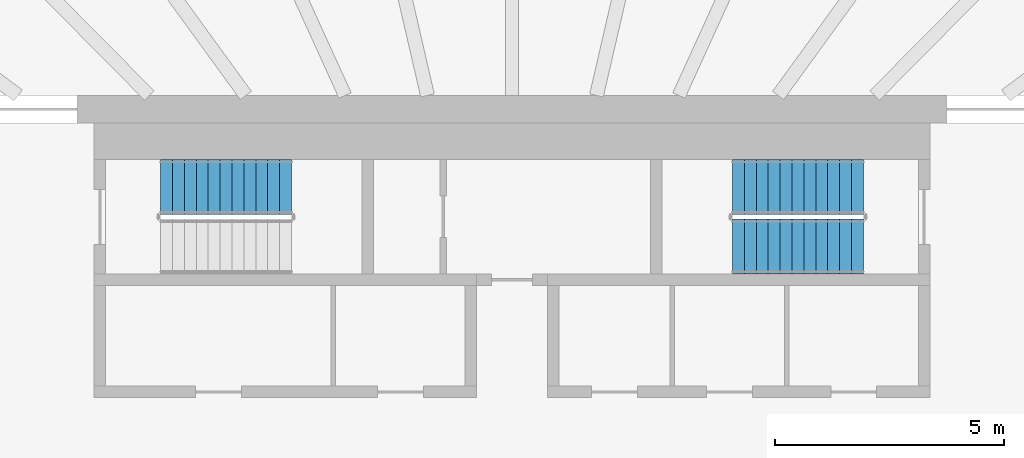
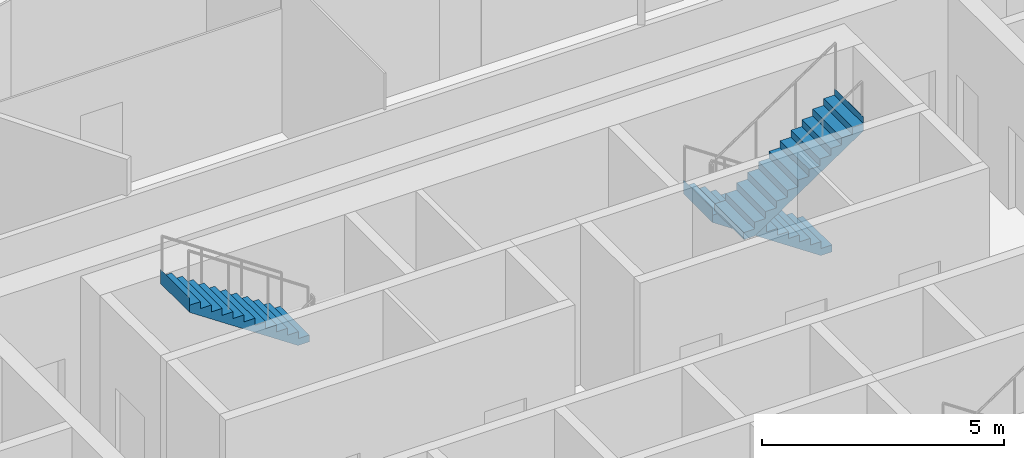
# One storey, part 18 of 24: 3 stair flights, 2 elements without a shape of their own.
"""IFC4 building model written with IfcOpenShell, lengths in metres."""

import ifcopenshell
import ifcopenshell.guid

model = None  # the IFC model being written
_history = None  # IfcOwnerHistory: only IFC2X3 demands one
_inside = {}  # id of a spatial element -> (the spatial element, [elements in it])
_under = {}  # id of a project, library or spatial element -> (it, [spatial elements below it])
_declared = {}  # id of a project -> (the project, [libraries it declares])
_typed = {}  # id of a type object -> (the type object, [elements of that type])
_made_of = {}  # id of a material, layer set ... -> (it, [elements and type objects made of it])


def new_model(schema):
    """Start an empty IFC model of exactly this schema.

    Asked for "IFC4X3", IfcOpenShell would pick the latest addendum, in which some entities
    have other attributes; the version numbers below select the first issue.
    IFC2X3 requires an IfcOwnerHistory on every rooted entity: one is made here for all.
    """
    global model, _history
    if schema == "IFC4X3":
        model = ifcopenshell.file(schema_version=(4, 3, 0, 0))
    else:
        model = ifcopenshell.file(schema=schema)
    _inside.clear()
    _under.clear()
    _declared.clear()
    _typed.clear()
    _made_of.clear()
    _history = None
    if model.schema == "IFC2X3":
        org = make("IfcOrganization", Name="unknown")
        user = make(
            "IfcPersonAndOrganization",
            ThePerson=make("IfcPerson", FamilyName="unknown"),
            TheOrganization=org,
        )
        app = make(
            "IfcApplication",
            ApplicationDeveloper=org,
            Version="unknown",
            ApplicationFullName="unknown",
            ApplicationIdentifier="unknown",
        )
        _history = make(
            "IfcOwnerHistory",
            OwningUser=user,
            OwningApplication=app,
            ChangeAction="ADDED",
            CreationDate=0,
        )
    return model


def make(cls, **values):
    """One entity of the class cls with the attributes given. An attribute that is None is left unset."""
    return model.create_entity(
        cls, **{name: value for name, value in values.items() if value is not None}
    )


def rooted(cls, **values):
    """An entity with a GlobalId (a new one), such as an element, a storey or a relation."""
    return make(cls, GlobalId=ifcopenshell.guid.new(), OwnerHistory=_history, **values)


def si_unit(unit_type, name, prefix=None):
    """IfcSIUnit, for example si_unit("LENGTHUNIT", "METRE", prefix="MILLI")."""
    return make("IfcSIUnit", UnitType=unit_type, Prefix=prefix, Name=name)


def assignment(units):
    """IfcUnitAssignment: the units of a project."""
    return None if units is None else make("IfcUnitAssignment", Units=units)


def point(xyz):
    """IfcCartesianPoint."""
    return None if xyz is None else make("IfcCartesianPoint", Coordinates=xyz)


def direction(xyz):
    """IfcDirection."""
    return None if xyz is None else make("IfcDirection", DirectionRatios=xyz)


def frame(location, z_axis=None, x_axis=None):
    """IfcAxis2Placement3D, a coordinate frame: its origin and axes. An axis left out is left unset."""
    return make(
        "IfcAxis2Placement3D",
        Location=point(location),
        Axis=direction(z_axis),
        RefDirection=direction(x_axis),
    )


def origin():
    """The frame at (0, 0, 0) with its axes left unset."""
    return frame((0.0, 0.0, 0.0))


def place(relative_to, where):
    """IfcLocalPlacement: puts the frame where relative to a parent placement (None: the world)."""
    return make(
        "IfcLocalPlacement", PlacementRelTo=relative_to, RelativePlacement=where
    )


def context(
    kind, dimensions, precision=None, world=None, true_north=None, identifier=None
):
    """IfcGeometricRepresentationContext, for example the 3D "Model" context."""
    return make(
        "IfcGeometricRepresentationContext",
        ContextIdentifier=identifier,
        ContextType=kind,
        CoordinateSpaceDimension=dimensions,
        Precision=precision,
        WorldCoordinateSystem=world,
        TrueNorth=true_north,
    )


def subcontext(parent, identifier, kind, view, scale=None):
    """IfcGeometricRepresentationSubContext, for example "Body" below "Model"."""
    return make(
        "IfcGeometricRepresentationSubContext",
        ContextIdentifier=identifier,
        ContextType=kind,
        ParentContext=parent,
        TargetScale=scale,
        TargetView=view,
    )


def project(units=None, contexts=None):
    """IfcProject with its units and contexts."""
    return rooted(
        "IfcProject",
        Name="project",
        RepresentationContexts=contexts,
        UnitsInContext=assignment(units),
    )


def spatial(cls, under=None, at=None, **own):
    """A site, building, storey or space (cls), placed at a placement, below another one or the project."""
    s = rooted(cls, ObjectPlacement=at, **own)
    if under is not None:
        _under.setdefault(under.id(), (under, []))[1].append(s)
    return s


def point_list(points):
    """IfcCartesianPointList2D or 3D."""
    cls = (
        "IfcCartesianPointList2D" if len(points[0]) == 2 else "IfcCartesianPointList3D"
    )
    return make(cls, CoordList=points)


def triangles(points, corners, closed=None, point_numbers=None):
    """IfcTriangulatedFaceSet: each triangle names its three corners, points numbered from 1."""
    return make(
        "IfcTriangulatedFaceSet",
        Coordinates=point_list(points),
        Closed=closed,
        CoordIndex=corners,
        PnIndex=point_numbers,
    )


def shape(context_of_items, identifier, shape_type, items):
    """IfcShapeRepresentation: the items that make up one representation, for example the "Body"."""
    return make(
        "IfcShapeRepresentation",
        ContextOfItems=context_of_items,
        RepresentationIdentifier=identifier,
        RepresentationType=shape_type,
        Items=items,
    )


def material(Name=None, Category=None):
    """IfcMaterial."""
    return make("IfcMaterial", Name=Name, Category=Category)


def made_of(thing, what):
    """Note that an element or type object is made of a material, layer set ...; save() writes the relation."""
    if what is not None:
        _made_of.setdefault(what.id(), (what, []))[1].append(thing)
    return thing


def type_object(cls, material=None, **own):
    """A type object (cls), such as IfcWallType, which elements share."""
    return made_of(rooted(cls, **own), material)


def element(
    cls,
    number,
    at=None,
    inside=None,
    cuts=None,
    type_object=None,
    material=None,
    context=None,
    identifier="Body",
    shape_type=None,
    held_by="IfcProductDefinitionShape",
    body=None,
    shapes=None,
    **own,
):
    """One element of the class cls, such as IfcWall. Its Tag is "e" and its number.

    at: its placement. inside: the storey or other place that contains it. cuts: it is an
    opening in that element (IfcRelVoidsElement). A single representation is given by context,
    identifier, shape_type and body (its items); several are given by shapes. held_by: the class
    of the entity that holds the representations. save() writes the other relations.
    """
    e = rooted(cls, Tag="e%d" % number, ObjectPlacement=at, **own)
    if body is not None:
        shapes = [shape(context, identifier, shape_type, body)]
    if shapes is not None:
        e.Representation = make(held_by, Representations=shapes)
    if inside is not None:
        _inside.setdefault(inside.id(), (inside, []))[1].append(e)
    if cuts is not None:
        rooted(
            "IfcRelVoidsElement", RelatingBuildingElement=cuts, RelatedOpeningElement=e
        )
    if type_object is not None:
        _typed.setdefault(type_object.id(), (type_object, []))[1].append(e)
    return made_of(e, material)


def aggregate(whole, parts):
    """IfcRelAggregates: a whole, such as a stair, and the parts it consists of."""
    return rooted("IfcRelAggregates", RelatingObject=whole, RelatedObjects=parts)


def save(model, path):
    """Write the relations noted so far, then the file.

    IfcRelAggregates (storeys below a building ...), IfcRelContainedInSpatialStructure (elements
    in a storey), IfcRelDefinesByType, IfcRelAssociatesMaterial and IfcRelDeclares: one each for
    every whole, place, type object, material and project.
    """
    for whole, parts in _under.values():
        aggregate(whole, parts)
    for where, things in _inside.values():
        rooted(
            "IfcRelContainedInSpatialStructure",
            RelatedElements=things,
            RelatingStructure=where,
        )
    for kind, things in _typed.values():
        rooted("IfcRelDefinesByType", RelatedObjects=things, RelatingType=kind)
    for what, things in _made_of.values():
        rooted("IfcRelAssociatesMaterial", RelatedObjects=things, RelatingMaterial=what)
    for by, libraries in _declared.values():
        rooted("IfcRelDeclares", RelatingContext=by, RelatedDefinitions=libraries)
    model.write(path)


model = new_model("IFC4")

# Units and contexts
model_context = context("Model", 3, precision=1e-05, world=origin(), true_north=direction((0.0, 1.0)))
body_context = subcontext(model_context, "Body", "Model", "MODEL_VIEW")
ifc_project = project(units=[si_unit("LENGTHUNIT", "METRE"), si_unit("AREAUNIT", "SQUARE_METRE"), si_unit("VOLUMEUNIT", "CUBIC_METRE"), si_unit("PLANEANGLEUNIT", "RADIAN"), si_unit("MASSUNIT", "GRAM", prefix="KILO")], contexts=[model_context])

# Site, building, storey
site_placement = place(None, origin())
site = spatial("IfcSite", under=ifc_project, at=site_placement, CompositionType="ELEMENT")
building_placement = place(site_placement, origin())
building = spatial("IfcBuilding", under=site, at=building_placement, Name="Sahrelin Media Tower", CompositionType="ELEMENT")
storey_placement = place(building_placement, frame((0.0, 0.0, 118.800048828125)))
storey = spatial("IfcBuildingStorey", under=building, at=storey_placement, Name="L23", CompositionType="ELEMENT", Elevation=118.800048828125)

# Stair, stair flight
ifc_material = material(Name="Concrete C40/50", Category="concrete")
stair_type = type_object("IfcStairType", Name="Exit stair 1200", PredefinedType="HALF_TURN_STAIR", material=ifc_material)
placement = place(storey_placement, origin())
stair_1 = element("IfcStair", 1, at=placement, inside=storey, type_object=stair_type, Name="L23 Exit stair ST1", PredefinedType="HALF_TURN_STAIR")
stair_flight_type = type_object("IfcStairFlightType", Name="Stair flight 1200", PredefinedType="STRAIGHT", material=ifc_material)
stair_flight_1_placement = place(storey_placement, frame((-4.81494140625, 6.0, 2.099853515625), z_axis=(0.0, 0.0, 1.0), x_axis=(-1.0, 0.0, 0.0)))
stair_flight_1 = element("IfcStairFlight", 2, at=stair_flight_1_placement, type_object=stair_flight_type, Name="ST1 flight 2", NumberOfRisers=12, NumberOfTreads=11, PredefinedType="STRAIGHT", RiserHeight=0.175, TreadLength=0.26, context=body_context, shape_type="Tessellation", body=[
    triangles([(0.2685546875, 0.60009765625, 0.0), (0.2685546875, 0.300048828125, 0.0), (0.2685546875, 0.0, 0.0), (0.2685546875, -0.300048828125, 0.0), (0.2685546875, -0.60009765625, 0.0), (2.860107421875, 0.60009765625, 1.744384765625), (2.860107421875, 0.300048828125, 1.744384765625), (2.860107421875, 0.0, 1.744384765625), (2.860107421875, -0.300048828125, 1.744384765625), (2.860107421875, -0.60009765625, 1.744384765625), (2.860107421875, 0.60009765625, 2.10009765625), (2.860107421875, 0.300048828125, 2.10009765625), (2.860107421875, 0.0, 2.10009765625), (2.860107421875, -0.300048828125, 2.10009765625), (2.860107421875, -0.60009765625, 2.10009765625), (2.85791015625, 0.60009765625, 2.10009765625), (2.85791015625, 0.300048828125, 2.10009765625), (2.85791015625, 0.0, 2.10009765625), (2.85791015625, -0.300048828125, 2.10009765625), (2.85791015625, -0.60009765625, 2.10009765625), (2.85791015625, 0.60009765625, 1.925048828125), (2.85791015625, 0.300048828125, 1.925048828125), (2.85791015625, 0.0, 1.925048828125), (2.85791015625, -0.300048828125, 1.925048828125), (2.85791015625, -0.60009765625, 1.925048828125), (2.60009765625, 0.60009765625, 1.925048828125), (2.60009765625, 0.300048828125, 1.925048828125), (2.60009765625, 0.0, 1.925048828125), (2.60009765625, -0.300048828125, 1.925048828125), (2.60009765625, -0.60009765625, 1.925048828125), (2.60009765625, 0.60009765625, 1.75), (2.60009765625, 0.300048828125, 1.75), (2.60009765625, 0.0, 1.75), (2.60009765625, -0.300048828125, 1.75), (2.60009765625, -0.60009765625, 1.75), (2.340087890625, 0.60009765625, 1.75), (2.340087890625, 0.300048828125, 1.75), (2.340087890625, 0.0, 1.75), (2.340087890625, -0.300048828125, 1.75), (2.340087890625, -0.60009765625, 1.75), (2.340087890625, 0.60009765625, 1.574951171875), (2.340087890625, 0.300048828125, 1.574951171875), (2.340087890625, 0.0, 1.574951171875), (2.340087890625, -0.300048828125, 1.574951171875), (2.340087890625, -0.60009765625, 1.574951171875), (2.080078125, 0.60009765625, 1.574951171875), (2.080078125, 0.300048828125, 1.574951171875), (2.080078125, 0.0, 1.574951171875), (2.080078125, -0.300048828125, 1.574951171875), (2.080078125, -0.60009765625, 1.574951171875), (2.080078125, 0.60009765625, 1.39990234375), (2.080078125, 0.300048828125, 1.39990234375), (2.080078125, 0.0, 1.39990234375), (2.080078125, -0.300048828125, 1.39990234375), (2.080078125, -0.60009765625, 1.39990234375), (1.820068359375, 0.60009765625, 1.39990234375), (1.820068359375, 0.300048828125, 1.39990234375), (1.820068359375, 0.0, 1.39990234375), (1.820068359375, -0.300048828125, 1.39990234375), (1.820068359375, -0.60009765625, 1.39990234375), (1.820068359375, 0.60009765625, 1.22509765625), (1.820068359375, 0.300048828125, 1.22509765625), (1.820068359375, 0.0, 1.22509765625), (1.820068359375, -0.300048828125, 1.22509765625), (1.820068359375, -0.60009765625, 1.22509765625), (1.56005859375, 0.60009765625, 1.22509765625), (1.56005859375, 0.300048828125, 1.22509765625), (1.56005859375, 0.0, 1.22509765625), (1.56005859375, -0.300048828125, 1.22509765625), (1.56005859375, -0.60009765625, 1.22509765625), (1.56005859375, 0.60009765625, 1.050048828125), (1.56005859375, 0.300048828125, 1.050048828125), (1.56005859375, 0.0, 1.050048828125), (1.56005859375, -0.300048828125, 1.050048828125), (1.56005859375, -0.60009765625, 1.050048828125), (1.300048828125, 0.60009765625, 1.050048828125), (1.300048828125, 0.300048828125, 1.050048828125), (1.300048828125, 0.0, 1.050048828125), (1.300048828125, -0.300048828125, 1.050048828125), (1.300048828125, -0.60009765625, 1.050048828125), (1.300048828125, 0.60009765625, 0.875), (1.300048828125, 0.300048828125, 0.875), (1.300048828125, 0.0, 0.875), (1.300048828125, -0.300048828125, 0.875), (1.300048828125, -0.60009765625, 0.875), (1.0400390625, 0.60009765625, 0.875), (1.0400390625, 0.300048828125, 0.875), (1.0400390625, 0.0, 0.875), (1.0400390625, -0.300048828125, 0.875), (1.0400390625, -0.60009765625, 0.875), (1.0400390625, 0.60009765625, 0.699951171875), (1.0400390625, 0.300048828125, 0.699951171875), (1.0400390625, 0.0, 0.699951171875), (1.0400390625, -0.300048828125, 0.699951171875), (1.0400390625, -0.60009765625, 0.699951171875), (0.780029296875, 0.60009765625, 0.699951171875), (0.780029296875, 0.300048828125, 0.699951171875), (0.780029296875, 0.0, 0.699951171875), (0.780029296875, -0.300048828125, 0.699951171875), (0.780029296875, -0.60009765625, 0.699951171875), (0.780029296875, 0.60009765625, 0.52490234375), (0.780029296875, 0.300048828125, 0.52490234375), (0.780029296875, 0.0, 0.52490234375), (0.780029296875, -0.300048828125, 0.52490234375), (0.780029296875, -0.60009765625, 0.52490234375), (0.52001953125, 0.60009765625, 0.52490234375), (0.52001953125, 0.300048828125, 0.52490234375), (0.52001953125, 0.0, 0.52490234375), (0.52001953125, -0.300048828125, 0.52490234375), (0.52001953125, -0.60009765625, 0.52490234375), (0.52001953125, 0.60009765625, 0.35009765625), (0.52001953125, 0.300048828125, 0.35009765625), (0.52001953125, 0.0, 0.35009765625), (0.52001953125, -0.300048828125, 0.35009765625), (0.52001953125, -0.60009765625, 0.35009765625), (0.260009765625, 0.60009765625, 0.35009765625), (0.260009765625, 0.300048828125, 0.35009765625), (0.260009765625, 0.0, 0.35009765625), (0.260009765625, -0.300048828125, 0.35009765625), (0.260009765625, -0.60009765625, 0.35009765625), (0.260009765625, 0.60009765625, 0.175048828125), (0.260009765625, 0.300048828125, 0.175048828125), (0.260009765625, 0.0, 0.175048828125), (0.260009765625, -0.300048828125, 0.175048828125), (0.260009765625, -0.60009765625, 0.175048828125), (0.0, 0.60009765625, 0.175048828125), (0.0, 0.300048828125, 0.175048828125), (0.0, 0.0, 0.175048828125), (0.0, -0.300048828125, 0.175048828125), (0.0, -0.60009765625, 0.175048828125), (0.0, 0.60009765625, 0.0), (0.0, 0.300048828125, 0.0), (0.0, 0.0, 0.0), (0.0, -0.300048828125, 0.0), (0.0, -0.60009765625, 0.0)], [[1, 6, 7], [1, 7, 2], [2, 7, 8], [2, 8, 3], [3, 8, 9], [3, 9, 4], [4, 9, 10], [4, 10, 5], [6, 11, 12], [6, 12, 7], [7, 12, 13], [7, 13, 8], [8, 13, 14], [8, 14, 9], [9, 14, 15], [9, 15, 10], [11, 16, 17], [11, 17, 12], [12, 17, 18], [12, 18, 13], [13, 18, 19], [13, 19, 14], [14, 19, 20], [14, 20, 15], [16, 21, 22], [16, 22, 17], [17, 22, 23], [17, 23, 18], [18, 23, 24], [18, 24, 19], [19, 24, 25], [19, 25, 20], [21, 26, 27], [21, 27, 22], [22, 27, 28], [22, 28, 23], [23, 28, 29], [23, 29, 24], [24, 29, 30], [24, 30, 25], [26, 31, 32], [26, 32, 27], [27, 32, 33], [27, 33, 28], [28, 33, 34], [28, 34, 29], [29, 34, 35], [29, 35, 30], [31, 36, 37], [31, 37, 32], [32, 37, 38], [32, 38, 33], [33, 38, 39], [33, 39, 34], [34, 39, 40], [34, 40, 35], [36, 41, 42], [36, 42, 37], [37, 42, 43], [37, 43, 38], [38, 43, 44], [38, 44, 39], [39, 44, 45], [39, 45, 40], [41, 46, 47], [41, 47, 42], [42, 47, 48], [42, 48, 43], [43, 48, 49], [43, 49, 44], [44, 49, 50], [44, 50, 45], [46, 51, 52], [46, 52, 47], [47, 52, 53], [47, 53, 48], [48, 53, 54], [48, 54, 49], [49, 54, 55], [49, 55, 50], [51, 56, 57], [51, 57, 52], [52, 57, 58], [52, 58, 53], [53, 58, 59], [53, 59, 54], [54, 59, 60], [54, 60, 55], [56, 61, 62], [56, 62, 57], [57, 62, 63], [57, 63, 58], [58, 63, 64], [58, 64, 59], [59, 64, 65], [59, 65, 60], [61, 66, 67], [61, 67, 62], [62, 67, 68], [62, 68, 63], [63, 68, 69], [63, 69, 64], [64, 69, 70], [64, 70, 65], [66, 71, 72], [66, 72, 67], [67, 72, 73], [67, 73, 68], [68, 73, 74], [68, 74, 69], [69, 74, 75], [69, 75, 70], [71, 76, 77], [71, 77, 72], [72, 77, 78], [72, 78, 73], [73, 78, 79], [73, 79, 74], [74, 79, 80], [74, 80, 75], [76, 81, 82], [76, 82, 77], [77, 82, 83], [77, 83, 78], [78, 83, 84], [78, 84, 79], [79, 84, 85], [79, 85, 80], [81, 86, 87], [81, 87, 82], [82, 87, 88], [82, 88, 83], [83, 88, 89], [83, 89, 84], [84, 89, 90], [84, 90, 85], [86, 91, 92], [86, 92, 87], [87, 92, 93], [87, 93, 88], [88, 93, 94], [88, 94, 89], [89, 94, 95], [89, 95, 90], [91, 96, 97], [91, 97, 92], [92, 97, 98], [92, 98, 93], [93, 98, 99], [93, 99, 94], [94, 99, 100], [94, 100, 95], [96, 101, 102], [96, 102, 97], [97, 102, 103], [97, 103, 98], [98, 103, 104], [98, 104, 99], [99, 104, 105], [99, 105, 100], [101, 106, 107], [101, 107, 102], [102, 107, 108], [102, 108, 103], [103, 108, 109], [103, 109, 104], [104, 109, 110], [104, 110, 105], [106, 111, 112], [106, 112, 107], [107, 112, 113], [107, 113, 108], [108, 113, 114], [108, 114, 109], [109, 114, 115], [109, 115, 110], [111, 116, 117], [111, 117, 112], [112, 117, 118], [112, 118, 113], [113, 118, 119], [113, 119, 114], [114, 119, 120], [114, 120, 115], [116, 121, 122], [116, 122, 117], [117, 122, 123], [117, 123, 118], [118, 123, 124], [118, 124, 119], [119, 124, 125], [119, 125, 120], [121, 126, 127], [121, 127, 122], [122, 127, 128], [122, 128, 123], [123, 128, 129], [123, 129, 124], [124, 129, 130], [124, 130, 125], [126, 131, 132], [126, 132, 127], [127, 132, 133], [127, 133, 128], [128, 133, 134], [128, 134, 129], [129, 134, 135], [129, 135, 130], [131, 1, 2], [131, 2, 132], [132, 2, 3], [132, 3, 133], [133, 3, 4], [133, 4, 134], [134, 4, 5], [134, 5, 135], [125, 130, 135], [121, 131, 126], [125, 115, 120], [121, 116, 111], [115, 105, 110], [111, 106, 101], [105, 95, 100], [101, 96, 91], [95, 85, 90], [91, 86, 81], [85, 75, 80], [81, 76, 71], [75, 65, 70], [71, 66, 61], [65, 55, 60], [61, 56, 51], [55, 45, 50], [51, 46, 41], [45, 35, 40], [41, 36, 31], [35, 25, 30], [31, 26, 21], [25, 15, 20], [21, 16, 11], [135, 5, 125], [131, 121, 1], [95, 105, 5], [91, 1, 101], [5, 10, 75], [1, 71, 6], [10, 35, 45], [6, 41, 31], [25, 10, 15], [21, 11, 6], [115, 125, 5], [111, 1, 121], [75, 85, 5], [71, 1, 81], [35, 10, 25], [31, 21, 6], [105, 115, 5], [101, 1, 111], [45, 55, 10], [41, 6, 51], [85, 95, 5], [81, 1, 91], [65, 10, 55], [61, 51, 6], [10, 65, 75], [6, 71, 61]], closed=True),
])
aggregate(stair_1, [stair_flight_1])

# Stair, stair flights
stair_2 = element("IfcStair", 3, at=placement, inside=storey, type_object=stair_type, Name="L23 Exit stair ST3", PredefinedType="HALF_TURN_STAIR")
stair_flight_2_placement = place(storey_placement, frame((7.675048828125, 6.0, 0.0), z_axis=(0.0, 0.0, 1.0), x_axis=(-1.0, 0.0, 0.0)))
stair_flight_2 = element("IfcStairFlight", 4, at=stair_flight_2_placement, type_object=stair_flight_type, Name="ST3 flight 1", NumberOfRisers=12, NumberOfTreads=11, PredefinedType="STRAIGHT", RiserHeight=0.175, TreadLength=0.26, context=body_context, shape_type="Tessellation", body=[
    triangles([(0.2685546875, 0.60009765625, 0.0), (0.2685546875, 0.300048828125, 0.0), (0.2685546875, 0.0, 0.0), (0.2685546875, -0.300048828125, 0.0), (0.2685546875, -0.60009765625, 0.0), (2.860107421875, 0.60009765625, 1.744384765625), (2.860107421875, 0.300048828125, 1.744384765625), (2.860107421875, 0.0, 1.744384765625), (2.860107421875, -0.300048828125, 1.744384765625), (2.860107421875, -0.60009765625, 1.744384765625), (2.860107421875, 0.60009765625, 2.10009765625), (2.860107421875, 0.300048828125, 2.10009765625), (2.860107421875, 0.0, 2.10009765625), (2.860107421875, -0.300048828125, 2.10009765625), (2.860107421875, -0.60009765625, 2.10009765625), (2.85791015625, 0.60009765625, 2.10009765625), (2.85791015625, 0.300048828125, 2.10009765625), (2.85791015625, 0.0, 2.10009765625), (2.85791015625, -0.300048828125, 2.10009765625), (2.85791015625, -0.60009765625, 2.10009765625), (2.85791015625, 0.60009765625, 1.925048828125), (2.85791015625, 0.300048828125, 1.925048828125), (2.85791015625, 0.0, 1.925048828125), (2.85791015625, -0.300048828125, 1.925048828125), (2.85791015625, -0.60009765625, 1.925048828125), (2.60009765625, 0.60009765625, 1.925048828125), (2.60009765625, 0.300048828125, 1.925048828125), (2.60009765625, 0.0, 1.925048828125), (2.60009765625, -0.300048828125, 1.925048828125), (2.60009765625, -0.60009765625, 1.925048828125), (2.60009765625, 0.60009765625, 1.75), (2.60009765625, 0.300048828125, 1.75), (2.60009765625, 0.0, 1.75), (2.60009765625, -0.300048828125, 1.75), (2.60009765625, -0.60009765625, 1.75), (2.340087890625, 0.60009765625, 1.75), (2.340087890625, 0.300048828125, 1.75), (2.340087890625, 0.0, 1.75), (2.340087890625, -0.300048828125, 1.75), (2.340087890625, -0.60009765625, 1.75), (2.340087890625, 0.60009765625, 1.574951171875), (2.340087890625, 0.300048828125, 1.574951171875), (2.340087890625, 0.0, 1.574951171875), (2.340087890625, -0.300048828125, 1.574951171875), (2.340087890625, -0.60009765625, 1.574951171875), (2.080078125, 0.60009765625, 1.574951171875), (2.080078125, 0.300048828125, 1.574951171875), (2.080078125, 0.0, 1.574951171875), (2.080078125, -0.300048828125, 1.574951171875), (2.080078125, -0.60009765625, 1.574951171875), (2.080078125, 0.60009765625, 1.39990234375), (2.080078125, 0.300048828125, 1.39990234375), (2.080078125, 0.0, 1.39990234375), (2.080078125, -0.300048828125, 1.39990234375), (2.080078125, -0.60009765625, 1.39990234375), (1.820068359375, 0.60009765625, 1.39990234375), (1.820068359375, 0.300048828125, 1.39990234375), (1.820068359375, 0.0, 1.39990234375), (1.820068359375, -0.300048828125, 1.39990234375), (1.820068359375, -0.60009765625, 1.39990234375), (1.820068359375, 0.60009765625, 1.22509765625), (1.820068359375, 0.300048828125, 1.22509765625), (1.820068359375, 0.0, 1.22509765625), (1.820068359375, -0.300048828125, 1.22509765625), (1.820068359375, -0.60009765625, 1.22509765625), (1.56005859375, 0.60009765625, 1.22509765625), (1.56005859375, 0.300048828125, 1.22509765625), (1.56005859375, 0.0, 1.22509765625), (1.56005859375, -0.300048828125, 1.22509765625), (1.56005859375, -0.60009765625, 1.22509765625), (1.56005859375, 0.60009765625, 1.050048828125), (1.56005859375, 0.300048828125, 1.050048828125), (1.56005859375, 0.0, 1.050048828125), (1.56005859375, -0.300048828125, 1.050048828125), (1.56005859375, -0.60009765625, 1.050048828125), (1.300048828125, 0.60009765625, 1.050048828125), (1.300048828125, 0.300048828125, 1.050048828125), (1.300048828125, 0.0, 1.050048828125), (1.300048828125, -0.300048828125, 1.050048828125), (1.300048828125, -0.60009765625, 1.050048828125), (1.300048828125, 0.60009765625, 0.875), (1.300048828125, 0.300048828125, 0.875), (1.300048828125, 0.0, 0.875), (1.300048828125, -0.300048828125, 0.875), (1.300048828125, -0.60009765625, 0.875), (1.0400390625, 0.60009765625, 0.875), (1.0400390625, 0.300048828125, 0.875), (1.0400390625, 0.0, 0.875), (1.0400390625, -0.300048828125, 0.875), (1.0400390625, -0.60009765625, 0.875), (1.0400390625, 0.60009765625, 0.699951171875), (1.0400390625, 0.300048828125, 0.699951171875), (1.0400390625, 0.0, 0.699951171875), (1.0400390625, -0.300048828125, 0.699951171875), (1.0400390625, -0.60009765625, 0.699951171875), (0.780029296875, 0.60009765625, 0.699951171875), (0.780029296875, 0.300048828125, 0.699951171875), (0.780029296875, 0.0, 0.699951171875), (0.780029296875, -0.300048828125, 0.699951171875), (0.780029296875, -0.60009765625, 0.699951171875), (0.780029296875, 0.60009765625, 0.52490234375), (0.780029296875, 0.300048828125, 0.52490234375), (0.780029296875, 0.0, 0.52490234375), (0.780029296875, -0.300048828125, 0.52490234375), (0.780029296875, -0.60009765625, 0.52490234375), (0.52001953125, 0.60009765625, 0.52490234375), (0.52001953125, 0.300048828125, 0.52490234375), (0.52001953125, 0.0, 0.52490234375), (0.52001953125, -0.300048828125, 0.52490234375), (0.52001953125, -0.60009765625, 0.52490234375), (0.52001953125, 0.60009765625, 0.35009765625), (0.52001953125, 0.300048828125, 0.35009765625), (0.52001953125, 0.0, 0.35009765625), (0.52001953125, -0.300048828125, 0.35009765625), (0.52001953125, -0.60009765625, 0.35009765625), (0.260009765625, 0.60009765625, 0.35009765625), (0.260009765625, 0.300048828125, 0.35009765625), (0.260009765625, 0.0, 0.35009765625), (0.260009765625, -0.300048828125, 0.35009765625), (0.260009765625, -0.60009765625, 0.35009765625), (0.260009765625, 0.60009765625, 0.175048828125), (0.260009765625, 0.300048828125, 0.175048828125), (0.260009765625, 0.0, 0.175048828125), (0.260009765625, -0.300048828125, 0.175048828125), (0.260009765625, -0.60009765625, 0.175048828125), (0.0, 0.60009765625, 0.175048828125), (0.0, 0.300048828125, 0.175048828125), (0.0, 0.0, 0.175048828125), (0.0, -0.300048828125, 0.175048828125), (0.0, -0.60009765625, 0.175048828125), (0.0, 0.60009765625, 0.0), (0.0, 0.300048828125, 0.0), (0.0, 0.0, 0.0), (0.0, -0.300048828125, 0.0), (0.0, -0.60009765625, 0.0)], [[1, 6, 7], [1, 7, 2], [2, 7, 8], [2, 8, 3], [3, 8, 9], [3, 9, 4], [4, 9, 10], [4, 10, 5], [6, 11, 12], [6, 12, 7], [7, 12, 13], [7, 13, 8], [8, 13, 14], [8, 14, 9], [9, 14, 15], [9, 15, 10], [11, 16, 17], [11, 17, 12], [12, 17, 18], [12, 18, 13], [13, 18, 19], [13, 19, 14], [14, 19, 20], [14, 20, 15], [16, 21, 22], [16, 22, 17], [17, 22, 23], [17, 23, 18], [18, 23, 24], [18, 24, 19], [19, 24, 25], [19, 25, 20], [21, 26, 27], [21, 27, 22], [22, 27, 28], [22, 28, 23], [23, 28, 29], [23, 29, 24], [24, 29, 30], [24, 30, 25], [26, 31, 32], [26, 32, 27], [27, 32, 33], [27, 33, 28], [28, 33, 34], [28, 34, 29], [29, 34, 35], [29, 35, 30], [31, 36, 37], [31, 37, 32], [32, 37, 38], [32, 38, 33], [33, 38, 39], [33, 39, 34], [34, 39, 40], [34, 40, 35], [36, 41, 42], [36, 42, 37], [37, 42, 43], [37, 43, 38], [38, 43, 44], [38, 44, 39], [39, 44, 45], [39, 45, 40], [41, 46, 47], [41, 47, 42], [42, 47, 48], [42, 48, 43], [43, 48, 49], [43, 49, 44], [44, 49, 50], [44, 50, 45], [46, 51, 52], [46, 52, 47], [47, 52, 53], [47, 53, 48], [48, 53, 54], [48, 54, 49], [49, 54, 55], [49, 55, 50], [51, 56, 57], [51, 57, 52], [52, 57, 58], [52, 58, 53], [53, 58, 59], [53, 59, 54], [54, 59, 60], [54, 60, 55], [56, 61, 62], [56, 62, 57], [57, 62, 63], [57, 63, 58], [58, 63, 64], [58, 64, 59], [59, 64, 65], [59, 65, 60], [61, 66, 67], [61, 67, 62], [62, 67, 68], [62, 68, 63], [63, 68, 69], [63, 69, 64], [64, 69, 70], [64, 70, 65], [66, 71, 72], [66, 72, 67], [67, 72, 73], [67, 73, 68], [68, 73, 74], [68, 74, 69], [69, 74, 75], [69, 75, 70], [71, 76, 77], [71, 77, 72], [72, 77, 78], [72, 78, 73], [73, 78, 79], [73, 79, 74], [74, 79, 80], [74, 80, 75], [76, 81, 82], [76, 82, 77], [77, 82, 83], [77, 83, 78], [78, 83, 84], [78, 84, 79], [79, 84, 85], [79, 85, 80], [81, 86, 87], [81, 87, 82], [82, 87, 88], [82, 88, 83], [83, 88, 89], [83, 89, 84], [84, 89, 90], [84, 90, 85], [86, 91, 92], [86, 92, 87], [87, 92, 93], [87, 93, 88], [88, 93, 94], [88, 94, 89], [89, 94, 95], [89, 95, 90], [91, 96, 97], [91, 97, 92], [92, 97, 98], [92, 98, 93], [93, 98, 99], [93, 99, 94], [94, 99, 100], [94, 100, 95], [96, 101, 102], [96, 102, 97], [97, 102, 103], [97, 103, 98], [98, 103, 104], [98, 104, 99], [99, 104, 105], [99, 105, 100], [101, 106, 107], [101, 107, 102], [102, 107, 108], [102, 108, 103], [103, 108, 109], [103, 109, 104], [104, 109, 110], [104, 110, 105], [106, 111, 112], [106, 112, 107], [107, 112, 113], [107, 113, 108], [108, 113, 114], [108, 114, 109], [109, 114, 115], [109, 115, 110], [111, 116, 117], [111, 117, 112], [112, 117, 118], [112, 118, 113], [113, 118, 119], [113, 119, 114], [114, 119, 120], [114, 120, 115], [116, 121, 122], [116, 122, 117], [117, 122, 123], [117, 123, 118], [118, 123, 124], [118, 124, 119], [119, 124, 125], [119, 125, 120], [121, 126, 127], [121, 127, 122], [122, 127, 128], [122, 128, 123], [123, 128, 129], [123, 129, 124], [124, 129, 130], [124, 130, 125], [126, 131, 132], [126, 132, 127], [127, 132, 133], [127, 133, 128], [128, 133, 134], [128, 134, 129], [129, 134, 135], [129, 135, 130], [131, 1, 2], [131, 2, 132], [132, 2, 3], [132, 3, 133], [133, 3, 4], [133, 4, 134], [134, 4, 5], [134, 5, 135], [125, 130, 135], [121, 131, 126], [125, 115, 120], [121, 116, 111], [115, 105, 110], [111, 106, 101], [105, 95, 100], [101, 96, 91], [95, 85, 90], [91, 86, 81], [85, 75, 80], [81, 76, 71], [75, 65, 70], [71, 66, 61], [65, 55, 60], [61, 56, 51], [55, 45, 50], [51, 46, 41], [45, 35, 40], [41, 36, 31], [35, 25, 30], [31, 26, 21], [25, 15, 20], [21, 16, 11], [135, 5, 125], [131, 121, 1], [95, 105, 5], [91, 1, 101], [5, 10, 75], [1, 71, 6], [10, 35, 45], [6, 41, 31], [25, 10, 15], [21, 11, 6], [115, 125, 5], [111, 1, 121], [75, 85, 5], [71, 1, 81], [35, 10, 25], [31, 21, 6], [105, 115, 5], [101, 1, 111], [45, 55, 10], [41, 6, 51], [85, 95, 5], [81, 1, 91], [65, 10, 55], [61, 51, 6], [10, 65, 75], [6, 71, 61]], closed=True),
])
stair_flight_3_placement = place(storey_placement, frame((4.81494140625, 4.699951171875, 2.099853515625), z_axis=(0.0, 0.0, 1.0), x_axis=(1.0, 0.0, 0.0)))
stair_flight_3 = element("IfcStairFlight", 5, at=stair_flight_3_placement, type_object=stair_flight_type, Name="ST3 flight 2", NumberOfRisers=12, NumberOfTreads=11, PredefinedType="STRAIGHT", RiserHeight=0.175, TreadLength=0.26, context=body_context, shape_type="Tessellation", body=[
    triangles([(0.2685546875, 0.60009765625, 0.0), (0.2685546875, 0.300048828125, 0.0), (0.2685546875, 0.0, 0.0), (0.2685546875, -0.300048828125, 0.0), (0.2685546875, -0.60009765625, 0.0), (2.860107421875, 0.60009765625, 1.744384765625), (2.860107421875, 0.300048828125, 1.744384765625), (2.860107421875, 0.0, 1.744384765625), (2.860107421875, -0.300048828125, 1.744384765625), (2.860107421875, -0.60009765625, 1.744384765625), (2.860107421875, 0.60009765625, 2.10009765625), (2.860107421875, 0.300048828125, 2.10009765625), (2.860107421875, 0.0, 2.10009765625), (2.860107421875, -0.300048828125, 2.10009765625), (2.860107421875, -0.60009765625, 2.10009765625), (2.85791015625, 0.60009765625, 2.10009765625), (2.85791015625, 0.300048828125, 2.10009765625), (2.85791015625, 0.0, 2.10009765625), (2.85791015625, -0.300048828125, 2.10009765625), (2.85791015625, -0.60009765625, 2.10009765625), (2.85791015625, 0.60009765625, 1.925048828125), (2.85791015625, 0.300048828125, 1.925048828125), (2.85791015625, 0.0, 1.925048828125), (2.85791015625, -0.300048828125, 1.925048828125), (2.85791015625, -0.60009765625, 1.925048828125), (2.60009765625, 0.60009765625, 1.925048828125), (2.60009765625, 0.300048828125, 1.925048828125), (2.60009765625, 0.0, 1.925048828125), (2.60009765625, -0.300048828125, 1.925048828125), (2.60009765625, -0.60009765625, 1.925048828125), (2.60009765625, 0.60009765625, 1.75), (2.60009765625, 0.300048828125, 1.75), (2.60009765625, 0.0, 1.75), (2.60009765625, -0.300048828125, 1.75), (2.60009765625, -0.60009765625, 1.75), (2.340087890625, 0.60009765625, 1.75), (2.340087890625, 0.300048828125, 1.75), (2.340087890625, 0.0, 1.75), (2.340087890625, -0.300048828125, 1.75), (2.340087890625, -0.60009765625, 1.75), (2.340087890625, 0.60009765625, 1.574951171875), (2.340087890625, 0.300048828125, 1.574951171875), (2.340087890625, 0.0, 1.574951171875), (2.340087890625, -0.300048828125, 1.574951171875), (2.340087890625, -0.60009765625, 1.574951171875), (2.080078125, 0.60009765625, 1.574951171875), (2.080078125, 0.300048828125, 1.574951171875), (2.080078125, 0.0, 1.574951171875), (2.080078125, -0.300048828125, 1.574951171875), (2.080078125, -0.60009765625, 1.574951171875), (2.080078125, 0.60009765625, 1.39990234375), (2.080078125, 0.300048828125, 1.39990234375), (2.080078125, 0.0, 1.39990234375), (2.080078125, -0.300048828125, 1.39990234375), (2.080078125, -0.60009765625, 1.39990234375), (1.820068359375, 0.60009765625, 1.39990234375), (1.820068359375, 0.300048828125, 1.39990234375), (1.820068359375, 0.0, 1.39990234375), (1.820068359375, -0.300048828125, 1.39990234375), (1.820068359375, -0.60009765625, 1.39990234375), (1.820068359375, 0.60009765625, 1.22509765625), (1.820068359375, 0.300048828125, 1.22509765625), (1.820068359375, 0.0, 1.22509765625), (1.820068359375, -0.300048828125, 1.22509765625), (1.820068359375, -0.60009765625, 1.22509765625), (1.56005859375, 0.60009765625, 1.22509765625), (1.56005859375, 0.300048828125, 1.22509765625), (1.56005859375, 0.0, 1.22509765625), (1.56005859375, -0.300048828125, 1.22509765625), (1.56005859375, -0.60009765625, 1.22509765625), (1.56005859375, 0.60009765625, 1.050048828125), (1.56005859375, 0.300048828125, 1.050048828125), (1.56005859375, 0.0, 1.050048828125), (1.56005859375, -0.300048828125, 1.050048828125), (1.56005859375, -0.60009765625, 1.050048828125), (1.300048828125, 0.60009765625, 1.050048828125), (1.300048828125, 0.300048828125, 1.050048828125), (1.300048828125, 0.0, 1.050048828125), (1.300048828125, -0.300048828125, 1.050048828125), (1.300048828125, -0.60009765625, 1.050048828125), (1.300048828125, 0.60009765625, 0.875), (1.300048828125, 0.300048828125, 0.875), (1.300048828125, 0.0, 0.875), (1.300048828125, -0.300048828125, 0.875), (1.300048828125, -0.60009765625, 0.875), (1.0400390625, 0.60009765625, 0.875), (1.0400390625, 0.300048828125, 0.875), (1.0400390625, 0.0, 0.875), (1.0400390625, -0.300048828125, 0.875), (1.0400390625, -0.60009765625, 0.875), (1.0400390625, 0.60009765625, 0.699951171875), (1.0400390625, 0.300048828125, 0.699951171875), (1.0400390625, 0.0, 0.699951171875), (1.0400390625, -0.300048828125, 0.699951171875), (1.0400390625, -0.60009765625, 0.699951171875), (0.780029296875, 0.60009765625, 0.699951171875), (0.780029296875, 0.300048828125, 0.699951171875), (0.780029296875, 0.0, 0.699951171875), (0.780029296875, -0.300048828125, 0.699951171875), (0.780029296875, -0.60009765625, 0.699951171875), (0.780029296875, 0.60009765625, 0.52490234375), (0.780029296875, 0.300048828125, 0.52490234375), (0.780029296875, 0.0, 0.52490234375), (0.780029296875, -0.300048828125, 0.52490234375), (0.780029296875, -0.60009765625, 0.52490234375), (0.52001953125, 0.60009765625, 0.52490234375), (0.52001953125, 0.300048828125, 0.52490234375), (0.52001953125, 0.0, 0.52490234375), (0.52001953125, -0.300048828125, 0.52490234375), (0.52001953125, -0.60009765625, 0.52490234375), (0.52001953125, 0.60009765625, 0.35009765625), (0.52001953125, 0.300048828125, 0.35009765625), (0.52001953125, 0.0, 0.35009765625), (0.52001953125, -0.300048828125, 0.35009765625), (0.52001953125, -0.60009765625, 0.35009765625), (0.260009765625, 0.60009765625, 0.35009765625), (0.260009765625, 0.300048828125, 0.35009765625), (0.260009765625, 0.0, 0.35009765625), (0.260009765625, -0.300048828125, 0.35009765625), (0.260009765625, -0.60009765625, 0.35009765625), (0.260009765625, 0.60009765625, 0.175048828125), (0.260009765625, 0.300048828125, 0.175048828125), (0.260009765625, 0.0, 0.175048828125), (0.260009765625, -0.300048828125, 0.175048828125), (0.260009765625, -0.60009765625, 0.175048828125), (0.0, 0.60009765625, 0.175048828125), (0.0, 0.300048828125, 0.175048828125), (0.0, 0.0, 0.175048828125), (0.0, -0.300048828125, 0.175048828125), (0.0, -0.60009765625, 0.175048828125), (0.0, 0.60009765625, 0.0), (0.0, 0.300048828125, 0.0), (0.0, 0.0, 0.0), (0.0, -0.300048828125, 0.0), (0.0, -0.60009765625, 0.0)], [[1, 6, 7], [1, 7, 2], [2, 7, 8], [2, 8, 3], [3, 8, 9], [3, 9, 4], [4, 9, 10], [4, 10, 5], [6, 11, 12], [6, 12, 7], [7, 12, 13], [7, 13, 8], [8, 13, 14], [8, 14, 9], [9, 14, 15], [9, 15, 10], [11, 16, 17], [11, 17, 12], [12, 17, 18], [12, 18, 13], [13, 18, 19], [13, 19, 14], [14, 19, 20], [14, 20, 15], [16, 21, 22], [16, 22, 17], [17, 22, 23], [17, 23, 18], [18, 23, 24], [18, 24, 19], [19, 24, 25], [19, 25, 20], [21, 26, 27], [21, 27, 22], [22, 27, 28], [22, 28, 23], [23, 28, 29], [23, 29, 24], [24, 29, 30], [24, 30, 25], [26, 31, 32], [26, 32, 27], [27, 32, 33], [27, 33, 28], [28, 33, 34], [28, 34, 29], [29, 34, 35], [29, 35, 30], [31, 36, 37], [31, 37, 32], [32, 37, 38], [32, 38, 33], [33, 38, 39], [33, 39, 34], [34, 39, 40], [34, 40, 35], [36, 41, 42], [36, 42, 37], [37, 42, 43], [37, 43, 38], [38, 43, 44], [38, 44, 39], [39, 44, 45], [39, 45, 40], [41, 46, 47], [41, 47, 42], [42, 47, 48], [42, 48, 43], [43, 48, 49], [43, 49, 44], [44, 49, 50], [44, 50, 45], [46, 51, 52], [46, 52, 47], [47, 52, 53], [47, 53, 48], [48, 53, 54], [48, 54, 49], [49, 54, 55], [49, 55, 50], [51, 56, 57], [51, 57, 52], [52, 57, 58], [52, 58, 53], [53, 58, 59], [53, 59, 54], [54, 59, 60], [54, 60, 55], [56, 61, 62], [56, 62, 57], [57, 62, 63], [57, 63, 58], [58, 63, 64], [58, 64, 59], [59, 64, 65], [59, 65, 60], [61, 66, 67], [61, 67, 62], [62, 67, 68], [62, 68, 63], [63, 68, 69], [63, 69, 64], [64, 69, 70], [64, 70, 65], [66, 71, 72], [66, 72, 67], [67, 72, 73], [67, 73, 68], [68, 73, 74], [68, 74, 69], [69, 74, 75], [69, 75, 70], [71, 76, 77], [71, 77, 72], [72, 77, 78], [72, 78, 73], [73, 78, 79], [73, 79, 74], [74, 79, 80], [74, 80, 75], [76, 81, 82], [76, 82, 77], [77, 82, 83], [77, 83, 78], [78, 83, 84], [78, 84, 79], [79, 84, 85], [79, 85, 80], [81, 86, 87], [81, 87, 82], [82, 87, 88], [82, 88, 83], [83, 88, 89], [83, 89, 84], [84, 89, 90], [84, 90, 85], [86, 91, 92], [86, 92, 87], [87, 92, 93], [87, 93, 88], [88, 93, 94], [88, 94, 89], [89, 94, 95], [89, 95, 90], [91, 96, 97], [91, 97, 92], [92, 97, 98], [92, 98, 93], [93, 98, 99], [93, 99, 94], [94, 99, 100], [94, 100, 95], [96, 101, 102], [96, 102, 97], [97, 102, 103], [97, 103, 98], [98, 103, 104], [98, 104, 99], [99, 104, 105], [99, 105, 100], [101, 106, 107], [101, 107, 102], [102, 107, 108], [102, 108, 103], [103, 108, 109], [103, 109, 104], [104, 109, 110], [104, 110, 105], [106, 111, 112], [106, 112, 107], [107, 112, 113], [107, 113, 108], [108, 113, 114], [108, 114, 109], [109, 114, 115], [109, 115, 110], [111, 116, 117], [111, 117, 112], [112, 117, 118], [112, 118, 113], [113, 118, 119], [113, 119, 114], [114, 119, 120], [114, 120, 115], [116, 121, 122], [116, 122, 117], [117, 122, 123], [117, 123, 118], [118, 123, 124], [118, 124, 119], [119, 124, 125], [119, 125, 120], [121, 126, 127], [121, 127, 122], [122, 127, 128], [122, 128, 123], [123, 128, 129], [123, 129, 124], [124, 129, 130], [124, 130, 125], [126, 131, 132], [126, 132, 127], [127, 132, 133], [127, 133, 128], [128, 133, 134], [128, 134, 129], [129, 134, 135], [129, 135, 130], [131, 1, 2], [131, 2, 132], [132, 2, 3], [132, 3, 133], [133, 3, 4], [133, 4, 134], [134, 4, 5], [134, 5, 135], [125, 130, 135], [121, 131, 126], [125, 115, 120], [121, 116, 111], [115, 105, 110], [111, 106, 101], [105, 95, 100], [101, 96, 91], [95, 85, 90], [91, 86, 81], [85, 75, 80], [81, 76, 71], [75, 65, 70], [71, 66, 61], [65, 55, 60], [61, 56, 51], [55, 45, 50], [51, 46, 41], [45, 35, 40], [41, 36, 31], [35, 25, 30], [31, 26, 21], [25, 15, 20], [21, 16, 11], [135, 5, 125], [131, 121, 1], [95, 105, 5], [91, 1, 101], [5, 10, 75], [1, 71, 6], [10, 35, 45], [6, 41, 31], [25, 10, 15], [21, 11, 6], [115, 125, 5], [111, 1, 121], [75, 85, 5], [71, 1, 81], [35, 10, 25], [31, 21, 6], [105, 115, 5], [101, 1, 111], [45, 55, 10], [41, 6, 51], [85, 95, 5], [81, 1, 91], [65, 10, 55], [61, 51, 6], [10, 65, 75], [6, 71, 61]], closed=True),
])
aggregate(stair_2, [stair_flight_2, stair_flight_3])

save(model, "model.ifc")
